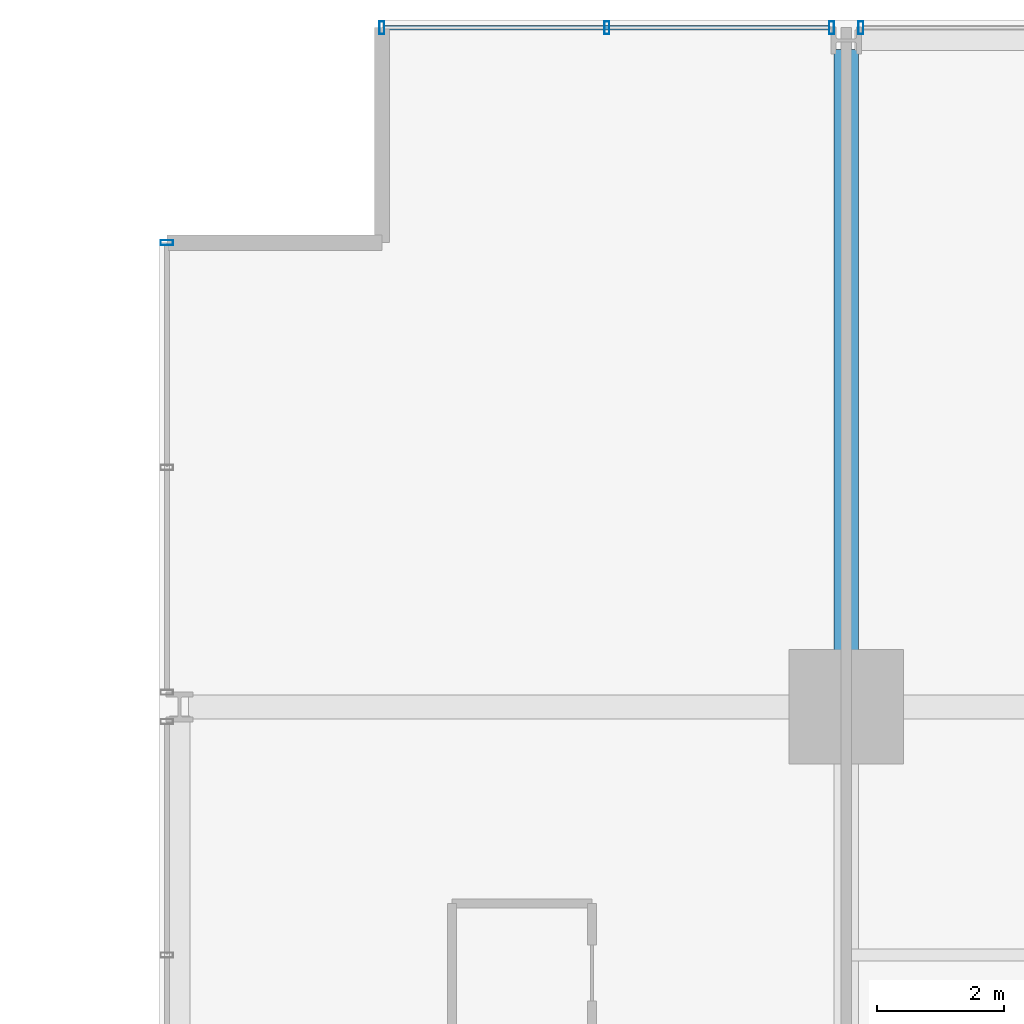
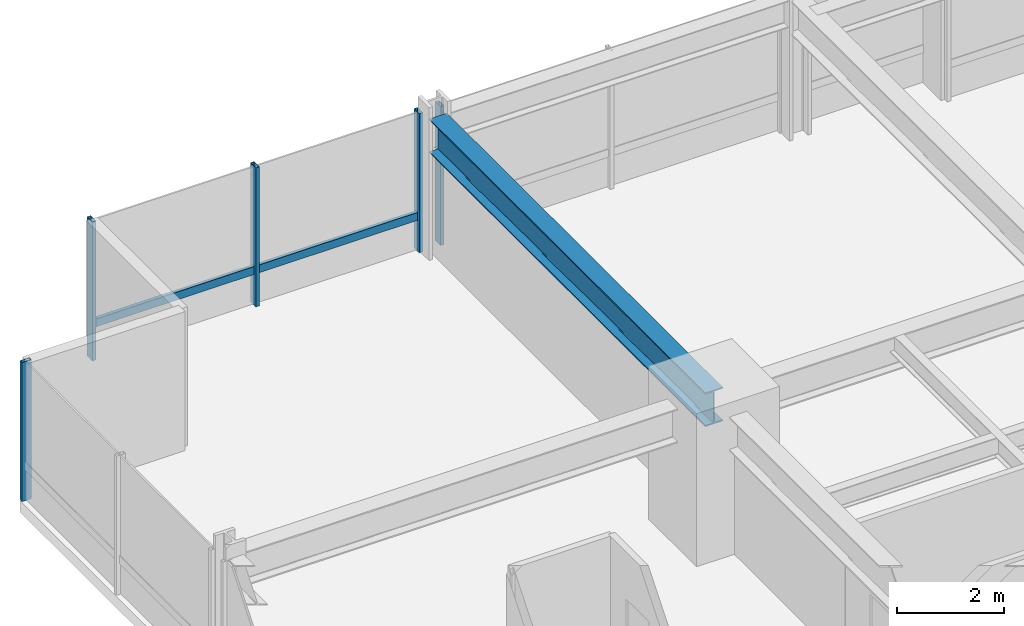
# One storey, part 21 of 37: 6 members, 1 beam, 3 elements without a shape of their own.
"""IFC4 building model written with IfcOpenShell, lengths in metres."""

from ifc_helpers import new_model, si_unit, direction, frame, origin, origin_2d, place, context, subcontext, project, spatial, hollow_rectangle, i_section, extrude, material, layer, layer_set, material_profile, profile_set, type_object, element, aggregate, save


model = new_model("IFC4")

# Units and contexts
model_context = context("Model", 3, precision=1e-05, world=origin(), true_north=direction((0.0, 1.0)))
body_context = subcontext(model_context, "Body", "Model", "MODEL_VIEW")
ifc_project = project(units=[si_unit("LENGTHUNIT", "METRE"), si_unit("AREAUNIT", "SQUARE_METRE"), si_unit("VOLUMEUNIT", "CUBIC_METRE"), si_unit("PLANEANGLEUNIT", "RADIAN"), si_unit("MASSUNIT", "GRAM", prefix="KILO")], contexts=[model_context])

# Site, building, storey
site_placement = place(None, origin())
site = spatial("IfcSite", under=ifc_project, at=site_placement, CompositionType="ELEMENT")
building_placement = place(site_placement, origin())
building = spatial("IfcBuilding", under=site, at=building_placement, Name="Drelvath Grand Hotel", CompositionType="ELEMENT")
storey_placement = place(building_placement, frame((0.0, 0.0, 78.699951171875)))
storey = spatial("IfcBuildingStorey", under=building, at=storey_placement, Name="L19", CompositionType="ELEMENT", Elevation=78.699951171875)

# Curtain wall, member
ifc_material_1 = material(Name="Warm Bronze Anodised Aluminium Frame", Category="aluminium")
ifc_layer = layer(ifc_material_1, 0.199951171875)
ifc_layer_set = layer_set([ifc_layer], Name="Warm Bronze Anodised Aluminium Frame")
curtain_wall_type = type_object("IfcCurtainWallType", Name="Stick Curtain Wall CW-02 Warm Bronze Low-Rise", PredefinedType="NOTDEFINED", material=ifc_layer_set)
curtain_wall_1_placement = place(storey_placement, origin())
curtain_wall_1 = element("IfcCurtainWall", 1, at=curtain_wall_1_placement, inside=storey, type_object=curtain_wall_type, Name="L19 CW-02 Curtain Wall CW02-L19-NW1", PredefinedType="NOTDEFINED")
ifc_material_profile_1 = material_profile(ifc_material_1, hollow_rectangle(XDim=0.074951171875, YDim=0.179931640625, WallThickness=0.0048828125, at=origin_2d()), Name="HSS180X75X5")
ifc_profile_set_1 = profile_set([ifc_material_profile_1], Name="Warm Bronze Anodised Aluminium Frame")
member_type_1 = type_object("IfcMemberType", Name="Curtain Wall Horizontal Transom CW-02 HSS180X75X5", PredefinedType="USERDEFINED", material=ifc_profile_set_1)
member_1_placement = place(storey_placement, frame((-23.4599609375, 53.8798828125, 0.795166015625), z_axis=(1.0, 0.0, 0.0), x_axis=(0.0, 1.0, 0.0)))
member_1 = element("IfcMember", 2, at=member_1_placement, type_object=member_type_1, Name="CW02-L19-NW1 Sill Transom", ObjectType="TRANSOM", PredefinedType="USERDEFINED", context=body_context, shape_type="SweptSolid", body=[
    extrude(hollow_rectangle(XDim=0.074951171875, YDim=0.179931640625, WallThickness=0.0048828125, at=origin_2d()), origin(), (0.0, 0.0, 1.0), 6.990966796875),
])

curtain_wall_2_placement = place(storey_placement, origin())
curtain_wall_2 = element("IfcCurtainWall", 3, at=curtain_wall_2_placement, inside=storey, type_object=curtain_wall_type, Name="L19 CW-02 Curtain Wall CW02-L19-WN3", PredefinedType="NOTDEFINED")
ifc_material_profile_2 = material_profile(ifc_material_1, hollow_rectangle(XDim=0.080078125, YDim=0.199951171875, WallThickness=0.0048828125, at=origin_2d()), Name="HSS200X80X5")
ifc_profile_set_2 = profile_set([ifc_material_profile_2], Name="Warm Bronze Anodised Aluminium Frame")
member_type_2 = type_object("IfcMemberType", Name="Curtain Wall Vertical Mullion CW-02 HSS200X80X5", PredefinedType="MULLION", material=ifc_profile_set_2)
member_2_placement = place(storey_placement, frame((-26.8798828125, 50.5, 0.0), z_axis=(0.0, 0.0, 1.0), x_axis=(0.0, 1.0, 0.0)))
member_2 = element("IfcMember", 4, at=member_2_placement, type_object=member_type_2, Name="CW02-L19-WN3 Mullion 3", PredefinedType="MULLION", context=body_context, shape_type="SweptSolid", body=[
    extrude(hollow_rectangle(XDim=0.080078125, YDim=0.199951171875, WallThickness=0.0048828125, at=origin_2d()), origin(), (0.0, 0.0, 1.0), 3.179931640625),
])
aggregate(curtain_wall_2, [member_2])

# Member
member_3_placement = place(storey_placement, frame((-23.5, 53.8798828125, 0.0), z_axis=(0.0, 0.0, 1.0), x_axis=(1.0, 0.0, 0.0)))
member_3 = element("IfcMember", 5, at=member_3_placement, type_object=member_type_2, Name="CW02-L19-NW1 Mullion 1", PredefinedType="MULLION", context=body_context, shape_type="SweptSolid", body=[
    extrude(hollow_rectangle(XDim=0.080078125, YDim=0.199951171875, WallThickness=0.0048828125, at=origin_2d()), origin(), (0.0, 0.0, 1.0), 3.179931640625),
])

member_4_placement = place(storey_placement, frame((-19.964599609375, 53.8798828125, 0.0), z_axis=(0.0, 0.0, 1.0), x_axis=(1.0, 0.0, 0.0)))
member_4 = element("IfcMember", 6, at=member_4_placement, type_object=member_type_2, Name="CW02-L19-NW1 Mullion 2", PredefinedType="MULLION", context=body_context, shape_type="SweptSolid", body=[
    extrude(hollow_rectangle(XDim=0.080078125, YDim=0.199951171875, WallThickness=0.0048828125, at=origin_2d()), origin(), (0.0, 0.0, 1.0), 3.179931640625),
])

member_5_placement = place(storey_placement, frame((-16.42919921875, 53.8798828125, 0.0), z_axis=(0.0, 0.0, 1.0), x_axis=(1.0, 0.0, 0.0)))
member_5 = element("IfcMember", 7, at=member_5_placement, type_object=member_type_2, Name="CW02-L19-NW1 Mullion 3", PredefinedType="MULLION", context=body_context, shape_type="SweptSolid", body=[
    extrude(hollow_rectangle(XDim=0.080078125, YDim=0.199951171875, WallThickness=0.0048828125, at=origin_2d()), origin(), (0.0, 0.0, 1.0), 3.179931640625),
])

aggregate(curtain_wall_1, [member_3, member_4, member_5, member_1])

# Curtain wall, member
curtain_wall_3_placement = place(storey_placement, origin())
curtain_wall_3 = element("IfcCurtainWall", 8, at=curtain_wall_3_placement, inside=storey, type_object=curtain_wall_type, Name="L19 CW-02 Curtain Wall CW02-L19-NW2", PredefinedType="NOTDEFINED")
member_6_placement = place(storey_placement, frame((-15.970947265625, 53.8798828125, 0.0), z_axis=(0.0, 0.0, 1.0), x_axis=(1.0, 0.0, 0.0)))
member_6 = element("IfcMember", 9, at=member_6_placement, type_object=member_type_2, Name="CW02-L19-NW2 Mullion 1", PredefinedType="MULLION", context=body_context, shape_type="SweptSolid", body=[
    extrude(hollow_rectangle(XDim=0.080078125, YDim=0.199951171875, WallThickness=0.0048828125, at=origin_2d()), origin(), (0.0, 0.0, 1.0), 3.179931640625),
])
aggregate(curtain_wall_3, [member_6])

# Beam
ifc_material_2 = material(Name="Steel ASTM A992 Gr 50", Category="steel")
ifc_material_profile_3 = material_profile(ifc_material_2, i_section(OverallWidth=0.380615234375, OverallDepth=0.773193359375, WebThickness=0.0166015625, FlangeThickness=0.027099609375, FilletRadius=0.02490234375, at=origin_2d()), Name="W30X173")
ifc_profile_set_3 = profile_set([ifc_material_profile_3], Name="Steel ASTM A992 Gr 50")
beam_type = type_object("IfcBeamType", Name="Primary Floor Girder W30X173", PredefinedType="BEAM", material=ifc_profile_set_3)
beam_placement = place(storey_placement, frame((-16.199951171875, 43.199951171875, 2.79345703125), z_axis=(0.0, 1.0, 0.0), x_axis=(-1.0, 0.0, 0.0)))
element("IfcBeam", 10, at=beam_placement, inside=storey, type_object=beam_type, Name="L19 North Grid Girder 3", PredefinedType="BEAM", context=body_context, shape_type="SweptSolid", body=[
    extrude(i_section(OverallWidth=0.380615234375, OverallDepth=0.773193359375, WebThickness=0.0166015625, FlangeThickness=0.027099609375, FilletRadius=0.02490234375, at=origin_2d()), origin(), (0.0, 0.0, 1.0), 10.340087890625),
])

save(model, "model.ifc")
